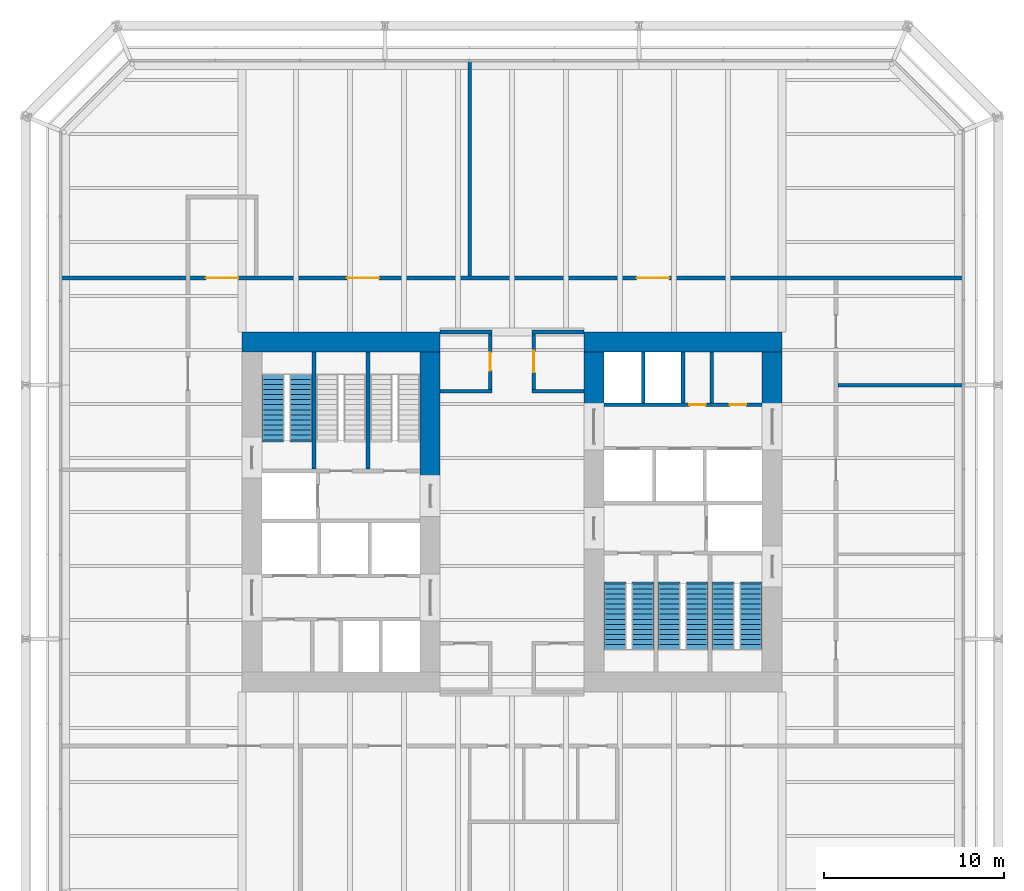
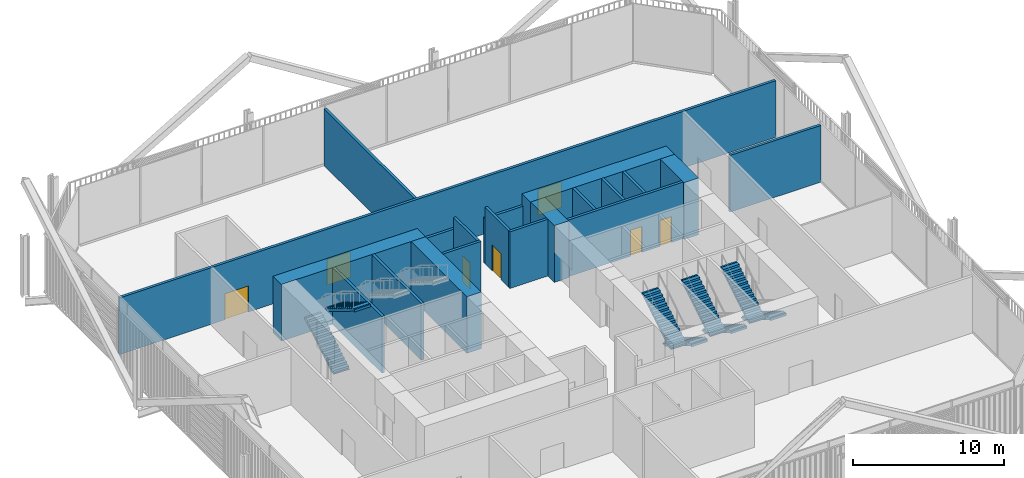
# One storey, part 20 of 22: 20 walls, 8 stair flights, 7 doors, 7 openings, 4 elements without a shape of their own.
"""IFC4 building model written with IfcOpenShell, lengths in metres."""

from ifc_helpers import new_model, si_unit, direction, frame, frame_2d, origin, place, context, subcontext, project, spatial, polyline, rectangle, outline, extrude, material, layer, layer_set, type_object, element, fill, aggregate, save


model = new_model("IFC4")

# Units and contexts
model_context = context("Model", 3, precision=1e-05, world=origin(), true_north=direction((0.0, 1.0)))
body_context = subcontext(model_context, "Body", "Model", "MODEL_VIEW")
ifc_project = project(units=[si_unit("LENGTHUNIT", "METRE"), si_unit("AREAUNIT", "SQUARE_METRE"), si_unit("VOLUMEUNIT", "CUBIC_METRE"), si_unit("PLANEANGLEUNIT", "RADIAN"), si_unit("MASSUNIT", "GRAM", prefix="KILO")], contexts=[model_context])

# Site, building, storey
site_placement = place(None, origin())
site = spatial("IfcSite", under=ifc_project, at=site_placement, CompositionType="ELEMENT")
building_placement = place(site_placement, origin())
building = spatial("IfcBuilding", under=site, at=building_placement, Name="Millrace Tower", CompositionType="ELEMENT")
storey_placement = place(building_placement, frame((0.0, 0.0, 20.89990234375)))
storey = spatial("IfcBuildingStorey", under=building, at=storey_placement, Name="L05", CompositionType="ELEMENT", Elevation=20.89990234375)

# Walls
ifc_material_1 = material(Name="Concrete C80", Category="concrete")
ifc_layer_1 = layer(ifc_material_1, 1.10009765625)
ifc_layer_set_1 = layer_set([ifc_layer_1], Name="Concrete C80")
wall_type_1 = type_object("IfcWallType", Name="Core wall 1100 Concrete C80", PredefinedType="SHEAR", material=ifc_layer_set_1)
wall_1_placement = place(storey_placement, frame((-15.0, 9.449951171875, 0.0), z_axis=(0.0, 0.0, 1.0), x_axis=(1.0, 0.0, 0.0)))
element("IfcWall", 1, at=wall_1_placement, inside=storey, type_object=wall_type_1, Name="Core wall W L05", PredefinedType="SHEAR", context=body_context, shape_type="SweptSolid", body=[
    extrude(rectangle(XDim=11.0, YDim=1.10009765625, at=frame_2d((5.5, 0.0))), origin(), (0.0, 0.0, 1.0), 4.5751953125),
])
wall_2_placement = place(storey_placement, frame((-4.550048828125, 1.550048828125, 0.0), z_axis=(0.0, 0.0, 1.0), x_axis=(0.0, 1.0, 0.0)))
element("IfcWall", 2, at=wall_2_placement, inside=storey, type_object=wall_type_1, Name="Core wall W L05", PredefinedType="SHEAR", context=body_context, shape_type="SweptSolid", body=[
    extrude(rectangle(XDim=7.349853515625, YDim=1.10009765625, at=frame_2d((3.6748046875, 0.0))), origin(), (0.0, 0.0, 1.0), 4.5751953125),
])
wall_3_placement = place(storey_placement, frame((15.0, 9.449951171875, 0.0), z_axis=(0.0, 0.0, 1.0), x_axis=(-1.0, 0.0, 0.0)))
element("IfcWall", 3, at=wall_3_placement, inside=storey, type_object=wall_type_1, Name="Core wall E L05", PredefinedType="SHEAR", context=body_context, shape_type="SweptSolid", body=[
    extrude(rectangle(XDim=11.0, YDim=1.10009765625, at=frame_2d((5.5, 0.0))), origin(), (0.0, 0.0, 1.0), 4.5751953125),
])
for number, where, z_axis, x_axis, name in (
    (4, (14.449951171875, 8.89990234375, 0.0), (0.0, 0.0, 1.0), (0.0, -1.0, 0.0), "Core wall E L05"),
    (5, (4.550048828125, 8.89990234375, 0.0), (0.0, 0.0, 1.0), (0.0, -1.0, 0.0), "Core wall E L05"),
):
    element("IfcWall", number, at=place(storey_placement, frame(where, z_axis=z_axis, x_axis=x_axis)), inside=storey, type_object=wall_type_1, Name=name, PredefinedType="SHEAR", context=body_context, shape_type="SweptSolid", body=[
        extrude(rectangle(XDim=3.14990234375, YDim=1.10009765625, at=frame_2d((1.574951171875, 0.0))), origin(), (0.0, 0.0, 1.0), 4.5751953125),
    ])
ifc_material_2 = material(Name="Masonry partition, fire-rated", Category="masonry")
ifc_layer_2 = layer(ifc_material_2, 0.199951171875)
ifc_layer_set_2 = layer_set([ifc_layer_2], Name="Masonry partition, fire-rated")
wall_type_2 = type_object("IfcWallType", Name="Corridor wall 200", PredefinedType="PARTITIONING", material=ifc_layer_set_2)
for number, where, z_axis, x_axis, name in (
    (6, (-4.0, 6.699951171875, 0.0), (0.0, 0.0, 1.0), (1.0, 0.0, 0.0), "Corridor wall L05"),
    (7, (1.10009765625, 6.699951171875, 0.0), (0.0, 0.0, 1.0), (1.0, 0.0, 0.0), "Corridor wall L05"),
):
    element("IfcWall", number, at=place(storey_placement, frame(where, z_axis=z_axis, x_axis=x_axis)), inside=storey, type_object=wall_type_2, Name=name, PredefinedType="PARTITIONING", context=body_context, shape_type="SweptSolid", body=[
        extrude(rectangle(XDim=2.89990234375, YDim=0.199951171875, at=frame_2d((1.449951171875, 0.0))), origin(), (0.0, 0.0, 1.0), 4.5751953125),
    ])
wall_4_placement = place(storey_placement, frame((18.10009765625, 7.050048828125, 0.0), z_axis=(0.0, 0.0, 1.0), x_axis=(1.0, 0.0, 0.0)))
element("IfcWall", 8, at=wall_4_placement, inside=storey, type_object=wall_type_2, Name="Corridor wall L05", PredefinedType="PARTITIONING", context=body_context, shape_type="SweptSolid", body=[
    extrude(rectangle(XDim=6.929931640625, YDim=0.199951171875, at=frame_2d((3.46484375, 0.0))), origin(), (0.0, 0.0, 1.0), 4.5751953125),
])
for number, where, z_axis, x_axis, name in (
    (9, (-4.0, 10.0, 0.0), (0.0, 0.0, 1.0), (1.0, 0.0, 0.0), "Corridor wall L05"),
    (10, (1.10009765625, 10.0, 0.0), (0.0, 0.0, 1.0), (1.0, 0.0, 0.0), "Corridor wall L05"),
):
    element("IfcWall", number, at=place(storey_placement, frame(where, z_axis=z_axis, x_axis=x_axis)), inside=storey, type_object=wall_type_2, Name=name, PredefinedType="PARTITIONING", context=body_context, shape_type="SweptSolid", body=[
        extrude(rectangle(XDim=2.89990234375, YDim=0.199951171875, at=frame_2d((1.449951171875, 0.0))), origin(), (0.0, 0.0, 1.0), 3.627685546875),
    ])

# Wall, openings, doors
wall_5_placement = place(storey_placement, frame((-25.030029296875, 13.0, 0.0), z_axis=(0.0, 0.0, 1.0), x_axis=(1.0, 0.0, 0.0)))
wall_5 = element("IfcWall", 11, at=wall_5_placement, inside=storey, type_object=wall_type_2, Name="Corridor wall L05", PredefinedType="PARTITIONING", context=body_context, shape_type="SweptSolid", body=[
    extrude(rectangle(XDim=50.06005859375, YDim=0.199951171875, at=frame_2d((25.030029296875, 0.0))), origin(), (0.0, 0.0, 1.0), 4.5751953125),
])
opening_1_placement = place(wall_5_placement, frame((15.85498046875, 0.0, 0.0)))
opening_1 = element("IfcOpeningElement", 12, at=opening_1_placement, cuts=wall_5, Name="Opening 05-P011", PredefinedType="OPENING", context=body_context, shape_type="SweptSolid", body=[
    extrude(rectangle(XDim=1.800048828125, YDim=2.10009765625, at=frame_2d((0.89990234375, 1.050048828125))), frame((0.0, 0.10986328125, 0.0), z_axis=(0.0, -1.0, 0.0), x_axis=(1.0, 0.0, 0.0)), (0.0, 0.0, 1.0), 0.219970703125),
])
opening_2_placement = place(wall_5_placement, frame((8.030029296875, 0.0, 0.0)))
opening_2 = element("IfcOpeningElement", 13, at=opening_2_placement, cuts=wall_5, Name="Opening 05-P012", PredefinedType="OPENING", context=body_context, shape_type="SweptSolid", body=[
    extrude(rectangle(XDim=1.800048828125, YDim=2.10009765625, at=frame_2d((0.89990234375, 1.050048828125))), frame((0.0, 0.10986328125, 0.0), z_axis=(0.0, -1.0, 0.0), x_axis=(1.0, 0.0, 0.0)), (0.0, 0.0, 1.0), 0.219970703125),
])
opening_3_placement = place(wall_5_placement, frame((31.9599609375, 0.0, 0.0)))
opening_3 = element("IfcOpeningElement", 14, at=opening_3_placement, cuts=wall_5, Name="Opening 05-P013", PredefinedType="OPENING", context=body_context, shape_type="SweptSolid", body=[
    extrude(rectangle(XDim=1.800048828125, YDim=2.10009765625, at=frame_2d((0.89990234375, 1.050048828125))), frame((0.0, 0.10986328125, 0.0), z_axis=(0.0, -1.0, 0.0), x_axis=(1.0, 0.0, 0.0)), (0.0, 0.0, 1.0), 0.219970703125),
])
ifc_material_3 = material(Name="Steel door set, fire-rated", Category="steel")
door_type_1 = type_object("IfcDoorType", Name="Data hall door 1800 x 2100", OperationType="DOUBLE_DOOR_SINGLE_SWING", PredefinedType="DOOR", material=ifc_material_3)
door_1_placement = place(opening_1_placement, origin())
door_1 = element("IfcDoor", 15, at=door_1_placement, inside=storey, type_object=door_type_1, Name="Door 05-P011", OperationType="DOUBLE_DOOR_SINGLE_SWING", OverallHeight=2.10009765625, OverallWidth=1.800048828125, PredefinedType="DOOR", context=body_context, shape_type="SweptSolid", body=[
    extrude(rectangle(XDim=1.800048828125, YDim=2.10009765625, at=frame_2d((0.89990234375, 1.050048828125))), frame((0.0, 0.02490234375, 0.0), z_axis=(0.0, -1.0, 0.0), x_axis=(1.0, 0.0, 0.0)), (0.0, 0.0, 1.0), 0.050048828125),
])
fill(opening_1, door_1)
door_2_placement = place(opening_2_placement, origin())
door_2 = element("IfcDoor", 16, at=door_2_placement, inside=storey, type_object=door_type_1, Name="Door 05-P012", OperationType="DOUBLE_DOOR_SINGLE_SWING", OverallHeight=2.10009765625, OverallWidth=1.800048828125, PredefinedType="DOOR", context=body_context, shape_type="SweptSolid", body=[
    extrude(rectangle(XDim=1.800048828125, YDim=2.10009765625, at=frame_2d((0.89990234375, 1.050048828125))), frame((0.0, 0.02490234375, 0.0), z_axis=(0.0, -1.0, 0.0), x_axis=(1.0, 0.0, 0.0)), (0.0, 0.0, 1.0), 0.050048828125),
])
fill(opening_2, door_2)
door_3_placement = place(opening_3_placement, origin())
door_3 = element("IfcDoor", 17, at=door_3_placement, inside=storey, type_object=door_type_1, Name="Door 05-P013", OperationType="DOUBLE_DOOR_SINGLE_SWING", OverallHeight=2.10009765625, OverallWidth=1.800048828125, PredefinedType="DOOR", context=body_context, shape_type="SweptSolid", body=[
    extrude(rectangle(XDim=1.800048828125, YDim=2.10009765625, at=frame_2d((0.89990234375, 1.050048828125))), frame((0.0, 0.02490234375, 0.0), z_axis=(0.0, -1.0, 0.0), x_axis=(1.0, 0.0, 0.0)), (0.0, 0.0, 1.0), 0.050048828125),
])
fill(opening_3, door_3)

# Wall, opening, door
wall_6_placement = place(storey_placement, frame((1.199951171875, 6.800048828125, 0.0), z_axis=(0.0, 0.0, 1.0), x_axis=(0.0, 1.0, 0.0)))
wall_6 = element("IfcWall", 18, at=wall_6_placement, inside=storey, type_object=wall_type_2, Name="Corridor wall L05", PredefinedType="PARTITIONING", context=body_context, shape_type="SweptSolid", body=[
    extrude(rectangle(XDim=3.099853515625, YDim=0.199951171875, at=frame_2d((1.5498046875, 0.0))), origin(), (0.0, 0.0, 1.0), 4.5751953125),
])
opening_4_placement = place(wall_6_placement, frame((0.949951171875, 0.0, 0.0)))
opening_4 = element("IfcOpeningElement", 19, at=opening_4_placement, cuts=wall_6, Name="Opening 05-P002", PredefinedType="OPENING", context=body_context, shape_type="SweptSolid", body=[
    extrude(rectangle(XDim=1.199951171875, YDim=2.10009765625, at=frame_2d((0.60009765625, 1.050048828125))), frame((0.0, 0.10986328125, 0.0), z_axis=(0.0, -1.0, 0.0), x_axis=(1.0, 0.0, 0.0)), (0.0, 0.0, 1.0), 0.219970703125),
])
ifc_material_4 = material(Name="Steel door set, fire-rated", Category="steel")
door_type_2 = type_object("IfcDoorType", Name="Corridor door 1200 x 2100", OperationType="SINGLE_SWING_LEFT", PredefinedType="DOOR", material=ifc_material_4)
door_4_placement = place(opening_4_placement, frame((1.199951171875, 0.0, 0.0), z_axis=(0.0, 0.0, 1.0), x_axis=(-1.0, 0.0, 0.0)))
door_4 = element("IfcDoor", 20, at=door_4_placement, inside=storey, type_object=door_type_2, Name="Door 05-P002", OperationType="SINGLE_SWING_LEFT", OverallHeight=2.10009765625, OverallWidth=1.199951171875, PredefinedType="DOOR", context=body_context, shape_type="SweptSolid", body=[
    extrude(rectangle(XDim=1.199951171875, YDim=2.10009765625, at=frame_2d((0.60009765625, 1.050048828125))), frame((0.0, 0.02490234375, 0.0), z_axis=(0.0, -1.0, 0.0), x_axis=(1.0, 0.0, 0.0)), (0.0, 0.0, 1.0), 0.050048828125),
])
fill(opening_4, door_4)

wall_7_placement = place(storey_placement, frame((-1.199951171875, 6.800048828125, 0.0), z_axis=(0.0, 0.0, 1.0), x_axis=(0.0, 1.0, 0.0)))
wall_7 = element("IfcWall", 21, at=wall_7_placement, inside=storey, type_object=wall_type_2, Name="Corridor wall L05", PredefinedType="PARTITIONING", context=body_context, shape_type="SweptSolid", body=[
    extrude(rectangle(XDim=3.099853515625, YDim=0.199951171875, at=frame_2d((1.5498046875, 0.0))), origin(), (0.0, 0.0, 1.0), 4.5751953125),
])
opening_5_placement = place(wall_7_placement, frame((1.050048828125, 0.0, 0.0)))
opening_5 = element("IfcOpeningElement", 22, at=opening_5_placement, cuts=wall_7, Name="Opening 05-P001", PredefinedType="OPENING", context=body_context, shape_type="SweptSolid", body=[
    extrude(rectangle(XDim=1.0, YDim=2.10009765625, at=frame_2d((0.5, 1.050048828125))), frame((0.0, 0.10986328125, 0.0), z_axis=(0.0, -1.0, 0.0), x_axis=(1.0, 0.0, 0.0)), (0.0, 0.0, 1.0), 0.219970703125),
])
ifc_material_5 = material(Name="Steel door set, fire-rated", Category="steel")
door_type_3 = type_object("IfcDoorType", Name="Corridor door 1000 x 2100", OperationType="SINGLE_SWING_LEFT", PredefinedType="DOOR", material=ifc_material_5)
door_5_placement = place(opening_5_placement, origin())
door_5 = element("IfcDoor", 23, at=door_5_placement, inside=storey, type_object=door_type_3, Name="Door 05-P001", OperationType="SINGLE_SWING_RIGHT", OverallHeight=2.10009765625, OverallWidth=1.0, PredefinedType="DOOR", context=body_context, shape_type="SweptSolid", body=[
    extrude(rectangle(XDim=1.0, YDim=2.10009765625, at=frame_2d((0.5, 1.050048828125))), frame((0.0, 0.02490234375, 0.0), z_axis=(0.0, -1.0, 0.0), x_axis=(1.0, 0.0, 0.0)), (0.0, 0.0, 1.0), 0.050048828125),
])
fill(opening_5, door_5)

# Wall
wall_8_placement = place(storey_placement, frame((-2.35009765625, 13.10009765625, 0.0), z_axis=(0.0, 0.0, 1.0), x_axis=(0.0, 1.0, 0.0)))
element("IfcWall", 24, at=wall_8_placement, inside=storey, type_object=wall_type_2, Name="Corridor wall L05", PredefinedType="PARTITIONING", context=body_context, shape_type="SweptSolid", body=[
    extrude(rectangle(XDim=11.929931640625, YDim=0.199951171875, at=frame_2d((5.96484375, 0.0))), origin(), (0.0, 0.0, 1.0), 4.5751953125),
])

# Wall, openings, doors
ifc_material_6 = material(Name="Masonry partition, fire-rated", Category="masonry")
ifc_layer_3 = layer(ifc_material_6, 0.199951171875)
ifc_layer_set_3 = layer_set([ifc_layer_3], Name="Masonry partition, fire-rated")
wall_type_3 = type_object("IfcWallType", Name="Lift shaft wall 200", PredefinedType="PARTITIONING", material=ifc_layer_set_3)
wall_9_placement = place(storey_placement, frame((13.89990234375, 5.949951171875, 0.0), z_axis=(0.0, 0.0, 1.0), x_axis=(-1.0, 0.0, 0.0)))
wall_9 = element("IfcWall", 25, at=wall_9_placement, inside=storey, type_object=wall_type_3, Name="Lift shaft wall E L05", PredefinedType="PARTITIONING", context=body_context, shape_type="SweptSolid", body=[
    extrude(rectangle(XDim=8.7998046875, YDim=0.199951171875, at=frame_2d((4.39990234375, 0.0))), origin(), (0.0, 0.0, 1.0), 4.5751953125),
])
opening_6_placement = place(wall_9_placement, frame((0.8974609375, 0.0, 0.0)))
opening_6 = element("IfcOpeningElement", 26, at=opening_6_placement, cuts=wall_9, Name="Opening 05-C013", PredefinedType="OPENING", context=body_context, shape_type="SweptSolid", body=[
    extrude(rectangle(XDim=0.89990234375, YDim=2.10009765625, at=frame_2d((0.449951171875, 1.050048828125))), frame((0.0, 0.10986328125, 0.0), z_axis=(0.0, -1.0, 0.0), x_axis=(1.0, 0.0, 0.0)), (0.0, 0.0, 1.0), 0.219970703125),
])
opening_7_placement = place(wall_9_placement, frame((3.1474609375, 0.0, 0.0)))
opening_7 = element("IfcOpeningElement", 27, at=opening_7_placement, cuts=wall_9, Name="Opening 05-C014", PredefinedType="OPENING", context=body_context, shape_type="SweptSolid", body=[
    extrude(rectangle(XDim=0.89990234375, YDim=2.10009765625, at=frame_2d((0.449951171875, 1.050048828125))), frame((0.0, 0.10986328125, 0.0), z_axis=(0.0, -1.0, 0.0), x_axis=(1.0, 0.0, 0.0)), (0.0, 0.0, 1.0), 0.219970703125),
])
ifc_material_7 = material(Name="Steel door, fire-rated", Category="steel")
door_type_4 = type_object("IfcDoorType", Name="Service room door 900 x 2100", OperationType="SINGLE_SWING_LEFT", PredefinedType="DOOR", material=ifc_material_7)
door_6_placement = place(opening_6_placement, frame((0.89990234375, 0.0, 0.0), z_axis=(0.0, 0.0, 1.0), x_axis=(-1.0, 0.0, 0.0)))
door_6 = element("IfcDoor", 28, at=door_6_placement, inside=storey, type_object=door_type_4, Name="Service room door 05-C013", OperationType="SINGLE_SWING_RIGHT", OverallHeight=2.10009765625, OverallWidth=0.89990234375, PredefinedType="DOOR", context=body_context, shape_type="SweptSolid", body=[
    extrude(rectangle(XDim=0.89990234375, YDim=2.10009765625, at=frame_2d((0.449951171875, 1.050048828125))), frame((0.0, 0.02490234375, 0.0), z_axis=(0.0, -1.0, 0.0), x_axis=(1.0, 0.0, 0.0)), (0.0, 0.0, 1.0), 0.050048828125),
])
fill(opening_6, door_6)
door_7_placement = place(opening_7_placement, frame((0.89990234375, 0.0, 0.0), z_axis=(0.0, 0.0, 1.0), x_axis=(-1.0, 0.0, 0.0)))
door_7 = element("IfcDoor", 29, at=door_7_placement, inside=storey, type_object=door_type_4, Name="Service room door 05-C014", OperationType="SINGLE_SWING_RIGHT", OverallHeight=2.10009765625, OverallWidth=0.89990234375, PredefinedType="DOOR", context=body_context, shape_type="SweptSolid", body=[
    extrude(rectangle(XDim=0.89990234375, YDim=2.10009765625, at=frame_2d((0.449951171875, 1.050048828125))), frame((0.0, 0.02490234375, 0.0), z_axis=(0.0, -1.0, 0.0), x_axis=(1.0, 0.0, 0.0)), (0.0, 0.0, 1.0), 0.050048828125),
])
fill(opening_7, door_7)

# Walls
for number, where, z_axis, x_axis, name in (
    (30, (9.5, 8.89990234375, 0.0), (0.0, 0.0, 1.0), (0.0, -1.0, 0.0), "Lift shaft wall E L05"),
    (31, (7.300048828125, 8.89990234375, 0.0), (0.0, 0.0, 1.0), (0.0, -1.0, 0.0), "Lift shaft wall E L05"),
):
    element("IfcWall", number, at=place(storey_placement, frame(where, z_axis=z_axis, x_axis=x_axis)), inside=storey, type_object=wall_type_3, Name=name, PredefinedType="PARTITIONING", context=body_context, shape_type="SweptSolid", body=[
        extrude(rectangle(XDim=2.849853515625, YDim=0.199951171875, at=frame_2d((1.4248046875, 0.0))), origin(), (0.0, 0.0, 1.0), 4.5751953125),
    ])
ifc_material_8 = material(Name="Masonry partition, fire-rated", Category="masonry")
ifc_layer_4 = layer(ifc_material_8, 0.199951171875)
ifc_layer_set_4 = layer_set([ifc_layer_4], Name="Masonry partition, fire-rated")
wall_type_4 = type_object("IfcWallType", Name="Room partition 200", PredefinedType="PARTITIONING", material=ifc_layer_set_4)
wall_10_placement = place(storey_placement, frame((11.10498046875, 8.89990234375, 0.0), z_axis=(0.0, 0.0, 1.0), x_axis=(0.0, -1.0, 0.0)))
element("IfcWall", 32, at=wall_10_placement, inside=storey, type_object=wall_type_4, Name="Room partition E L05", PredefinedType="PARTITIONING", context=body_context, shape_type="SweptSolid", body=[
    extrude(rectangle(XDim=2.849853515625, YDim=0.199951171875, at=frame_2d((1.4248046875, 0.0))), origin(), (0.0, 0.0, 1.0), 4.5751953125),
])
ifc_material_9 = material(Name="Concrete C40", Category="concrete")
ifc_layer_5 = layer(ifc_material_9, 0.199951171875)
ifc_layer_set_5 = layer_set([ifc_layer_5], Name="Concrete C40")
wall_type_5 = type_object("IfcWallType", Name="Stair enclosure wall 200 Concrete C40", PredefinedType="SHEAR", material=ifc_layer_set_5)
for number, where, z_axis, x_axis, name in (
    (33, (-11.0, 2.3798828125, 0.0), (0.0, 0.0, 1.0), (0.0, 1.0, 0.0), "Stair enclosure wall W L05"),
    (34, (-8.0, 2.3798828125, 0.0), (0.0, 0.0, 1.0), (0.0, 1.0, 0.0), "Stair enclosure wall W L05"),
):
    element("IfcWall", number, at=place(storey_placement, frame(where, z_axis=z_axis, x_axis=x_axis)), inside=storey, type_object=wall_type_5, Name=name, PredefinedType="SHEAR", context=body_context, shape_type="SweptSolid", body=[
        extrude(rectangle(XDim=6.52001953125, YDim=0.199951171875, at=frame_2d((3.260009765625, 0.0))), origin(), (0.0, 0.0, 1.0), 4.5751953125),
    ])

# Stair, stair flights
ifc_material_10 = material(Name="Concrete C35", Category="concrete")
stair_type = type_object("IfcStairType", Name="Exit stair", PredefinedType="HALF_TURN_STAIR", material=ifc_material_10)
placement = place(storey_placement, origin())
stair_1 = element("IfcStair", 35, at=placement, inside=storey, type_object=stair_type, Name="Stair 1 W L05", PredefinedType="HALF_TURN_STAIR")
ifc_material_11 = material(Name="Concrete C35", Category="concrete")
stair_flight_type = type_object("IfcStairFlightType", Name="Exit stair flight", PredefinedType="STRAIGHT", material=ifc_material_11)
stair_flight_1_placement = place(storey_placement, frame((-13.2900390625, 4.0, 0.0), z_axis=(0.0, 0.0, 1.0), x_axis=(0.0, 1.0, 0.0)))
stair_flight_1 = element("IfcStairFlight", 36, at=stair_flight_1_placement, type_object=stair_flight_type, Name="ST12 flight 1", NumberOfRisers=14, NumberOfTreads=13, PredefinedType="STRAIGHT", RiserHeight=0.171428571, TreadLength=0.28, context=body_context, shape_type="SweptSolid", body=[
    extrude(outline(polyline([(-0.1201171875, -0.0400390625), (-0.1201171875, 0.0), (0.0, 0.0), (0.0, 0.17138671875), (0.280029296875, 0.17138671875), (0.280029296875, 0.3427734375), (0.56005859375, 0.3427734375), (0.56005859375, 0.514404296875), (0.840087890625, 0.514404296875), (0.840087890625, 0.685791015625), (1.1201171875, 0.685791015625), (1.1201171875, 0.857177734375), (1.39990234375, 0.857177734375), (1.39990234375, 1.028564453125), (1.679931640625, 1.028564453125), (1.679931640625, 1.199951171875), (1.9599609375, 1.199951171875), (1.9599609375, 1.371337890625), (2.239990234375, 1.371337890625), (2.239990234375, 1.54296875), (2.52001953125, 1.54296875), (2.52001953125, 1.71435546875), (2.800048828125, 1.71435546875), (2.800048828125, 1.8857421875), (3.080078125, 1.8857421875), (3.080078125, 2.05712890625), (3.360107421875, 2.05712890625), (3.360107421875, 2.228515625), (3.639892578125, 2.228515625), (3.639892578125, 2.24853515625), (3.760009765625, 2.24853515625), (3.760009765625, 2.052734375), (3.639892578125, 2.052734375), (0.287109375, 0.0), (0.287109375, -0.0400390625), (-0.1201171875, -0.0400390625)])), frame((0.0, 0.60986328125, 0.0), z_axis=(0.0, -1.0, 0.0), x_axis=(1.0, 0.0, 0.0)), (0.0, 0.0, 1.0), 1.219970703125),
])
stair_flight_2_placement = place(storey_placement, frame((-11.7099609375, 7.639892578125, 2.400146484375), z_axis=(0.0, 0.0, 1.0), x_axis=(0.0, -1.0, 0.0)))
stair_flight_2 = element("IfcStairFlight", 37, at=stair_flight_2_placement, type_object=stair_flight_type, Name="ST12 flight 2", NumberOfRisers=14, NumberOfTreads=13, PredefinedType="STRAIGHT", RiserHeight=0.171428571, TreadLength=0.28, context=body_context, shape_type="SweptSolid", body=[
    extrude(outline(polyline([(-0.1201171875, -0.0400390625), (-0.1201171875, 0.0), (0.0, 0.0), (0.0, 0.17138671875), (0.280029296875, 0.17138671875), (0.280029296875, 0.3427734375), (0.56005859375, 0.3427734375), (0.56005859375, 0.514404296875), (0.840087890625, 0.514404296875), (0.840087890625, 0.685791015625), (1.1201171875, 0.685791015625), (1.1201171875, 0.857177734375), (1.39990234375, 0.857177734375), (1.39990234375, 1.028564453125), (1.679931640625, 1.028564453125), (1.679931640625, 1.199951171875), (1.9599609375, 1.199951171875), (1.9599609375, 1.371337890625), (2.239990234375, 1.371337890625), (2.239990234375, 1.54296875), (2.52001953125, 1.54296875), (2.52001953125, 1.71435546875), (2.800048828125, 1.71435546875), (2.800048828125, 1.8857421875), (3.080078125, 1.8857421875), (3.080078125, 2.05712890625), (3.360107421875, 2.05712890625), (3.360107421875, 2.228515625), (3.639892578125, 2.228515625), (3.639892578125, 2.24853515625), (3.760009765625, 2.24853515625), (3.760009765625, 2.052734375), (3.639892578125, 2.052734375), (0.287109375, 0.0), (0.287109375, -0.0400390625), (-0.1201171875, -0.0400390625)])), frame((0.0, 0.60986328125, 0.0), z_axis=(0.0, -1.0, 0.0), x_axis=(1.0, 0.0, 0.0)), (0.0, 0.0, 1.0), 1.219970703125),
])
aggregate(stair_1, [stair_flight_1, stair_flight_2])

stair_2 = element("IfcStair", 38, at=placement, inside=storey, type_object=stair_type, Name="Stair 1 E L05", PredefinedType="HALF_TURN_STAIR")
stair_flight_3_placement = place(storey_placement, frame((13.2900390625, -4.0, 0.0), z_axis=(0.0, 0.0, 1.0), x_axis=(0.0, -1.0, 0.0)))
stair_flight_3 = element("IfcStairFlight", 39, at=stair_flight_3_placement, type_object=stair_flight_type, Name="ST12 flight 1", NumberOfRisers=14, NumberOfTreads=13, PredefinedType="STRAIGHT", RiserHeight=0.171428571, TreadLength=0.28, context=body_context, shape_type="SweptSolid", body=[
    extrude(outline(polyline([(-0.1201171875, -0.0400390625), (-0.1201171875, 0.0), (0.0, 0.0), (0.0, 0.17138671875), (0.280029296875, 0.17138671875), (0.280029296875, 0.3427734375), (0.56005859375, 0.3427734375), (0.56005859375, 0.514404296875), (0.840087890625, 0.514404296875), (0.840087890625, 0.685791015625), (1.1201171875, 0.685791015625), (1.1201171875, 0.857177734375), (1.39990234375, 0.857177734375), (1.39990234375, 1.028564453125), (1.679931640625, 1.028564453125), (1.679931640625, 1.199951171875), (1.9599609375, 1.199951171875), (1.9599609375, 1.371337890625), (2.239990234375, 1.371337890625), (2.239990234375, 1.54296875), (2.52001953125, 1.54296875), (2.52001953125, 1.71435546875), (2.800048828125, 1.71435546875), (2.800048828125, 1.8857421875), (3.080078125, 1.8857421875), (3.080078125, 2.05712890625), (3.360107421875, 2.05712890625), (3.360107421875, 2.228515625), (3.639892578125, 2.228515625), (3.639892578125, 2.24853515625), (3.760009765625, 2.24853515625), (3.760009765625, 2.052734375), (3.639892578125, 2.052734375), (0.287109375, 0.0), (0.287109375, -0.0400390625), (-0.1201171875, -0.0400390625)])), frame((0.0, 0.60986328125, 0.0), z_axis=(0.0, -1.0, 0.0), x_axis=(1.0, 0.0, 0.0)), (0.0, 0.0, 1.0), 1.219970703125),
])
stair_flight_4_placement = place(storey_placement, frame((11.7099609375, -7.639892578125, 2.400146484375), z_axis=(0.0, 0.0, 1.0), x_axis=(0.0, 1.0, 0.0)))
stair_flight_4 = element("IfcStairFlight", 40, at=stair_flight_4_placement, type_object=stair_flight_type, Name="ST12 flight 2", NumberOfRisers=14, NumberOfTreads=13, PredefinedType="STRAIGHT", RiserHeight=0.171428571, TreadLength=0.28, context=body_context, shape_type="SweptSolid", body=[
    extrude(outline(polyline([(-0.1201171875, -0.0400390625), (-0.1201171875, 0.0), (0.0, 0.0), (0.0, 0.17138671875), (0.280029296875, 0.17138671875), (0.280029296875, 0.3427734375), (0.56005859375, 0.3427734375), (0.56005859375, 0.514404296875), (0.840087890625, 0.514404296875), (0.840087890625, 0.685791015625), (1.1201171875, 0.685791015625), (1.1201171875, 0.857177734375), (1.39990234375, 0.857177734375), (1.39990234375, 1.028564453125), (1.679931640625, 1.028564453125), (1.679931640625, 1.199951171875), (1.9599609375, 1.199951171875), (1.9599609375, 1.371337890625), (2.239990234375, 1.371337890625), (2.239990234375, 1.54296875), (2.52001953125, 1.54296875), (2.52001953125, 1.71435546875), (2.800048828125, 1.71435546875), (2.800048828125, 1.8857421875), (3.080078125, 1.8857421875), (3.080078125, 2.05712890625), (3.360107421875, 2.05712890625), (3.360107421875, 2.228515625), (3.639892578125, 2.228515625), (3.639892578125, 2.24853515625), (3.760009765625, 2.24853515625), (3.760009765625, 2.052734375), (3.639892578125, 2.052734375), (0.287109375, 0.0), (0.287109375, -0.0400390625), (-0.1201171875, -0.0400390625)])), frame((0.0, 0.60986328125, 0.0), z_axis=(0.0, -1.0, 0.0), x_axis=(1.0, 0.0, 0.0)), (0.0, 0.0, 1.0), 1.219970703125),
])
aggregate(stair_2, [stair_flight_3, stair_flight_4])

stair_3 = element("IfcStair", 41, at=placement, inside=storey, type_object=stair_type, Name="Stair 2 E L05", PredefinedType="HALF_TURN_STAIR")
stair_flight_5_placement = place(storey_placement, frame((10.2900390625, -4.0, 0.0), z_axis=(0.0, 0.0, 1.0), x_axis=(0.0, -1.0, 0.0)))
stair_flight_5 = element("IfcStairFlight", 42, at=stair_flight_5_placement, type_object=stair_flight_type, Name="ST12 flight 1", NumberOfRisers=14, NumberOfTreads=13, PredefinedType="STRAIGHT", RiserHeight=0.171428571, TreadLength=0.28, context=body_context, shape_type="SweptSolid", body=[
    extrude(outline(polyline([(-0.1201171875, -0.0400390625), (-0.1201171875, 0.0), (0.0, 0.0), (0.0, 0.17138671875), (0.280029296875, 0.17138671875), (0.280029296875, 0.3427734375), (0.56005859375, 0.3427734375), (0.56005859375, 0.514404296875), (0.840087890625, 0.514404296875), (0.840087890625, 0.685791015625), (1.1201171875, 0.685791015625), (1.1201171875, 0.857177734375), (1.39990234375, 0.857177734375), (1.39990234375, 1.028564453125), (1.679931640625, 1.028564453125), (1.679931640625, 1.199951171875), (1.9599609375, 1.199951171875), (1.9599609375, 1.371337890625), (2.239990234375, 1.371337890625), (2.239990234375, 1.54296875), (2.52001953125, 1.54296875), (2.52001953125, 1.71435546875), (2.800048828125, 1.71435546875), (2.800048828125, 1.8857421875), (3.080078125, 1.8857421875), (3.080078125, 2.05712890625), (3.360107421875, 2.05712890625), (3.360107421875, 2.228515625), (3.639892578125, 2.228515625), (3.639892578125, 2.24853515625), (3.760009765625, 2.24853515625), (3.760009765625, 2.052734375), (3.639892578125, 2.052734375), (0.287109375, 0.0), (0.287109375, -0.0400390625), (-0.1201171875, -0.0400390625)])), frame((0.0, 0.60986328125, 0.0), z_axis=(0.0, -1.0, 0.0), x_axis=(1.0, 0.0, 0.0)), (0.0, 0.0, 1.0), 1.219970703125),
])
stair_flight_6_placement = place(storey_placement, frame((8.7099609375, -7.639892578125, 2.400146484375), z_axis=(0.0, 0.0, 1.0), x_axis=(0.0, 1.0, 0.0)))
stair_flight_6 = element("IfcStairFlight", 43, at=stair_flight_6_placement, type_object=stair_flight_type, Name="ST12 flight 2", NumberOfRisers=14, NumberOfTreads=13, PredefinedType="STRAIGHT", RiserHeight=0.171428571, TreadLength=0.28, context=body_context, shape_type="SweptSolid", body=[
    extrude(outline(polyline([(-0.1201171875, -0.0400390625), (-0.1201171875, 0.0), (0.0, 0.0), (0.0, 0.17138671875), (0.280029296875, 0.17138671875), (0.280029296875, 0.3427734375), (0.56005859375, 0.3427734375), (0.56005859375, 0.514404296875), (0.840087890625, 0.514404296875), (0.840087890625, 0.685791015625), (1.1201171875, 0.685791015625), (1.1201171875, 0.857177734375), (1.39990234375, 0.857177734375), (1.39990234375, 1.028564453125), (1.679931640625, 1.028564453125), (1.679931640625, 1.199951171875), (1.9599609375, 1.199951171875), (1.9599609375, 1.371337890625), (2.239990234375, 1.371337890625), (2.239990234375, 1.54296875), (2.52001953125, 1.54296875), (2.52001953125, 1.71435546875), (2.800048828125, 1.71435546875), (2.800048828125, 1.8857421875), (3.080078125, 1.8857421875), (3.080078125, 2.05712890625), (3.360107421875, 2.05712890625), (3.360107421875, 2.228515625), (3.639892578125, 2.228515625), (3.639892578125, 2.24853515625), (3.760009765625, 2.24853515625), (3.760009765625, 2.052734375), (3.639892578125, 2.052734375), (0.287109375, 0.0), (0.287109375, -0.0400390625), (-0.1201171875, -0.0400390625)])), frame((0.0, 0.60986328125, 0.0), z_axis=(0.0, -1.0, 0.0), x_axis=(1.0, 0.0, 0.0)), (0.0, 0.0, 1.0), 1.219970703125),
])
aggregate(stair_3, [stair_flight_5, stair_flight_6])

stair_4 = element("IfcStair", 44, at=placement, inside=storey, type_object=stair_type, Name="Stair 3 E L05", PredefinedType="HALF_TURN_STAIR")
stair_flight_7_placement = place(storey_placement, frame((7.2900390625, -4.0, 0.0), z_axis=(0.0, 0.0, 1.0), x_axis=(0.0, -1.0, 0.0)))
stair_flight_7 = element("IfcStairFlight", 45, at=stair_flight_7_placement, type_object=stair_flight_type, Name="ST12 flight 1", NumberOfRisers=14, NumberOfTreads=13, PredefinedType="STRAIGHT", RiserHeight=0.171428571, TreadLength=0.28, context=body_context, shape_type="SweptSolid", body=[
    extrude(outline(polyline([(-0.1201171875, -0.0400390625), (-0.1201171875, 0.0), (0.0, 0.0), (0.0, 0.17138671875), (0.280029296875, 0.17138671875), (0.280029296875, 0.3427734375), (0.56005859375, 0.3427734375), (0.56005859375, 0.514404296875), (0.840087890625, 0.514404296875), (0.840087890625, 0.685791015625), (1.1201171875, 0.685791015625), (1.1201171875, 0.857177734375), (1.39990234375, 0.857177734375), (1.39990234375, 1.028564453125), (1.679931640625, 1.028564453125), (1.679931640625, 1.199951171875), (1.9599609375, 1.199951171875), (1.9599609375, 1.371337890625), (2.239990234375, 1.371337890625), (2.239990234375, 1.54296875), (2.52001953125, 1.54296875), (2.52001953125, 1.71435546875), (2.800048828125, 1.71435546875), (2.800048828125, 1.8857421875), (3.080078125, 1.8857421875), (3.080078125, 2.05712890625), (3.360107421875, 2.05712890625), (3.360107421875, 2.228515625), (3.639892578125, 2.228515625), (3.639892578125, 2.24853515625), (3.760009765625, 2.24853515625), (3.760009765625, 2.052734375), (3.639892578125, 2.052734375), (0.287109375, 0.0), (0.287109375, -0.0400390625), (-0.1201171875, -0.0400390625)])), frame((0.0, 0.60986328125, 0.0), z_axis=(0.0, -1.0, 0.0), x_axis=(1.0, 0.0, 0.0)), (0.0, 0.0, 1.0), 1.219970703125),
])
stair_flight_8_placement = place(storey_placement, frame((5.7099609375, -7.639892578125, 2.400146484375), z_axis=(0.0, 0.0, 1.0), x_axis=(0.0, 1.0, 0.0)))
stair_flight_8 = element("IfcStairFlight", 46, at=stair_flight_8_placement, type_object=stair_flight_type, Name="ST12 flight 2", NumberOfRisers=14, NumberOfTreads=13, PredefinedType="STRAIGHT", RiserHeight=0.171428571, TreadLength=0.28, context=body_context, shape_type="SweptSolid", body=[
    extrude(outline(polyline([(-0.1201171875, -0.0400390625), (-0.1201171875, 0.0), (0.0, 0.0), (0.0, 0.17138671875), (0.280029296875, 0.17138671875), (0.280029296875, 0.3427734375), (0.56005859375, 0.3427734375), (0.56005859375, 0.514404296875), (0.840087890625, 0.514404296875), (0.840087890625, 0.685791015625), (1.1201171875, 0.685791015625), (1.1201171875, 0.857177734375), (1.39990234375, 0.857177734375), (1.39990234375, 1.028564453125), (1.679931640625, 1.028564453125), (1.679931640625, 1.199951171875), (1.9599609375, 1.199951171875), (1.9599609375, 1.371337890625), (2.239990234375, 1.371337890625), (2.239990234375, 1.54296875), (2.52001953125, 1.54296875), (2.52001953125, 1.71435546875), (2.800048828125, 1.71435546875), (2.800048828125, 1.8857421875), (3.080078125, 1.8857421875), (3.080078125, 2.05712890625), (3.360107421875, 2.05712890625), (3.360107421875, 2.228515625), (3.639892578125, 2.228515625), (3.639892578125, 2.24853515625), (3.760009765625, 2.24853515625), (3.760009765625, 2.052734375), (3.639892578125, 2.052734375), (0.287109375, 0.0), (0.287109375, -0.0400390625), (-0.1201171875, -0.0400390625)])), frame((0.0, 0.60986328125, 0.0), z_axis=(0.0, -1.0, 0.0), x_axis=(1.0, 0.0, 0.0)), (0.0, 0.0, 1.0), 1.219970703125),
])
aggregate(stair_4, [stair_flight_7, stair_flight_8])

save(model, "model.ifc")
